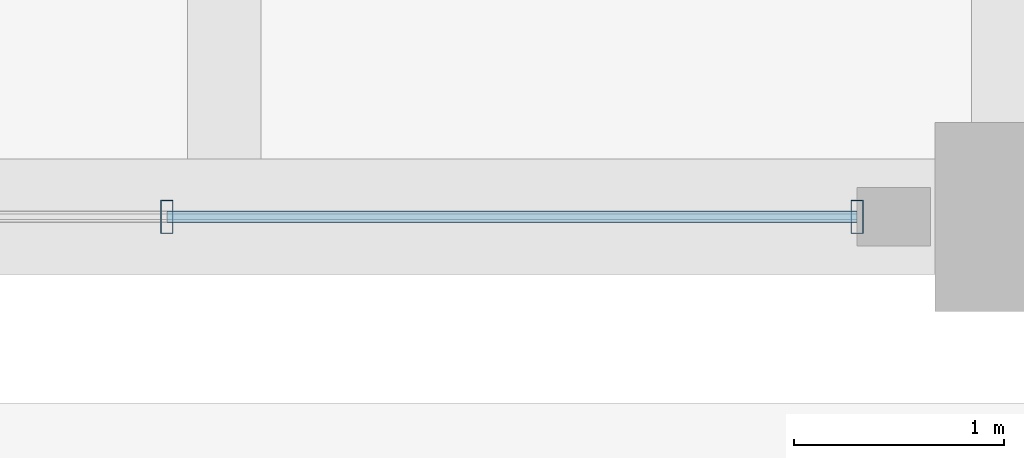
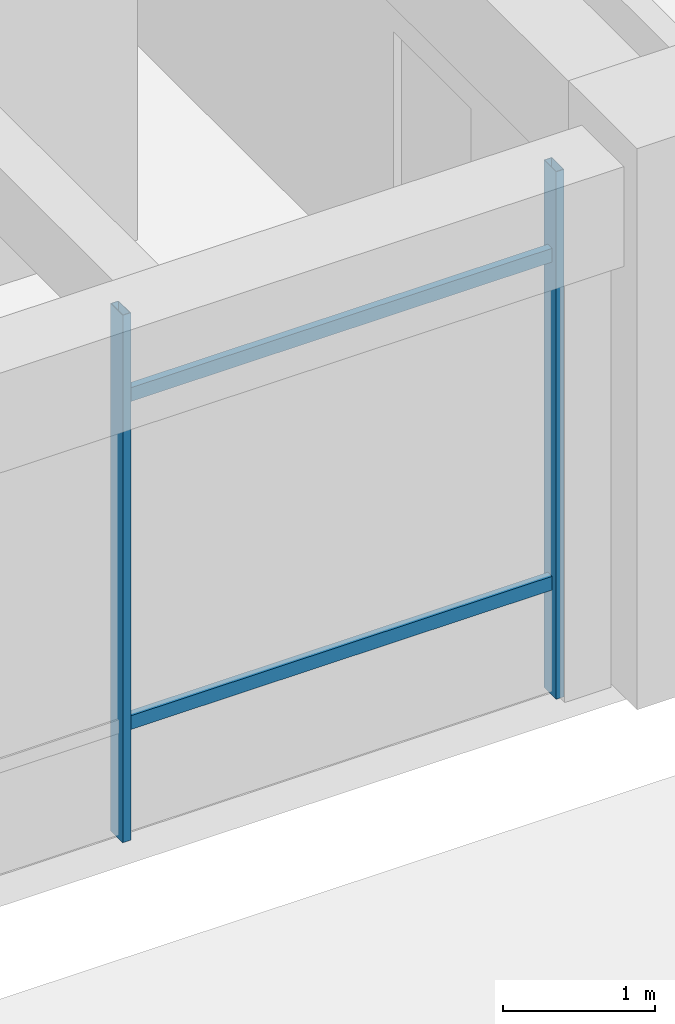
# One storey, part 115 of 154: 4 members, 1 element without a shape of its own.
"""IFC4 building model written with IfcOpenShell, lengths in metres."""

from ifc_helpers import new_model, si_unit, direction, frame, origin, origin_2d, place, context, subcontext, project, spatial, hollow_rectangle, extrude, material, material_profile, profile_set, type_object, element, aggregate, save


model = new_model("IFC4")

# Units and contexts
model_context = context("Model", 3, precision=1e-05, world=origin(), true_north=direction((0.0, 1.0)))
body_context = subcontext(model_context, "Body", "Model", "MODEL_VIEW")
ifc_project = project(units=[si_unit("LENGTHUNIT", "METRE"), si_unit("AREAUNIT", "SQUARE_METRE"), si_unit("VOLUMEUNIT", "CUBIC_METRE"), si_unit("PLANEANGLEUNIT", "RADIAN"), si_unit("MASSUNIT", "GRAM", prefix="KILO")], contexts=[model_context])

# Site, building, storey
site_placement = place(None, origin())
site = spatial("IfcSite", under=ifc_project, at=site_placement, CompositionType="ELEMENT")
building_placement = place(site_placement, origin())
building = spatial("IfcBuilding", under=site, at=building_placement, Name="Ologun Quay Terminus", CompositionType="ELEMENT")
storey_placement = place(building_placement, frame((0.0, 0.0, 13.800048828125)))
storey = spatial("IfcBuildingStorey", under=building, at=storey_placement, Name="L03", CompositionType="ELEMENT", Elevation=13.800048828125)

# Curtain wall, members
ifc_material_1 = material(Name="Aluminium 6063-T6", Category="aluminium")
curtain_wall_type = type_object("IfcCurtainWallType", Name="Waterfront Pavilion Harbour Curtain Wall L03 10600x4150", PredefinedType="USERDEFINED", material=ifc_material_1)
curtain_wall_placement = place(storey_placement, origin())
curtain_wall = element("IfcCurtainWall", 1, at=curtain_wall_placement, inside=storey, type_object=curtain_wall_type, Name="CW-25 Curtain Wall CW-L03-139", ObjectType="UNITISED CURTAIN WALL", PredefinedType="USERDEFINED")
ifc_material_2 = material(Name="Aluminium 6063-T6", Category="aluminium")
ifc_material_profile_1 = material_profile(ifc_material_2, hollow_rectangle(XDim=0.06005859375, YDim=0.159912109375, WallThickness=0.00390625, at=origin_2d()), Name="ALU 160x60x4")
ifc_profile_set_1 = profile_set([ifc_material_profile_1], Name="Aluminium 6063-T6")
member_type_1 = type_object("IfcMemberType", Name="Courtyard Screen Mullion 160x65", PredefinedType="MULLION", material=ifc_profile_set_1)
member_1_placement = place(storey_placement, frame((145.393310546875, 85.800048828125, 0.0), z_axis=(0.0, 0.0, 1.0), x_axis=(1.0, 0.0, 0.0)))
member_1 = element("IfcMember", 2, at=member_1_placement, type_object=member_type_1, Name="CW-L03-139 Mullion 3", PredefinedType="MULLION", context=body_context, shape_type="SweptSolid", body=[
    extrude(hollow_rectangle(XDim=0.06005859375, YDim=0.159912109375, WallThickness=0.00390625, at=origin_2d()), origin(), (0.0, 0.0, 1.0), 4.22998046875),
])
member_2_placement = place(storey_placement, frame((148.679931640625, 85.800048828125, 0.0), z_axis=(0.0, 0.0, 1.0), x_axis=(1.0, 0.0, 0.0)))
member_2 = element("IfcMember", 3, at=member_2_placement, type_object=member_type_1, Name="CW-L03-139 Mullion 4", PredefinedType="MULLION", context=body_context, shape_type="SweptSolid", body=[
    extrude(hollow_rectangle(XDim=0.06005859375, YDim=0.159912109375, WallThickness=0.00390625, at=origin_2d()), origin(), (0.0, 0.0, 1.0), 4.22998046875),
])
ifc_material_3 = material(Name="Aluminium 6063-T6", Category="aluminium")
ifc_material_profile_2 = material_profile(ifc_material_3, hollow_rectangle(XDim=0.054931640625, YDim=0.110107421875, WallThickness=0.00390625, at=origin_2d()), Name="ALU 110x55x4")
ifc_profile_set_2 = profile_set([ifc_material_profile_2], Name="Aluminium 6063-T6")
member_type_2 = type_object("IfcMemberType", Name="Courtyard Screen Transom 110x55", PredefinedType="USERDEFINED", material=ifc_profile_set_2)
member_3_placement = place(storey_placement, frame((145.393310546875, 85.800048828125, 0.89990234375), z_axis=(1.0, 0.0, 0.0), x_axis=(0.0, 1.0, 0.0)))
member_3 = element("IfcMember", 4, at=member_3_placement, type_object=member_type_2, Name="CW-L03-139 Transom B3-1", ObjectType="TRANSOM", PredefinedType="USERDEFINED", context=body_context, shape_type="SweptSolid", body=[
    extrude(hollow_rectangle(XDim=0.054931640625, YDim=0.110107421875, WallThickness=0.00390625, at=origin_2d()), origin(), (0.0, 0.0, 1.0), 3.28662109375),
])
member_4_placement = place(storey_placement, frame((145.393310546875, 85.800048828125, 3.530029296875), z_axis=(1.0, 0.0, 0.0), x_axis=(0.0, 1.0, 0.0)))
member_4 = element("IfcMember", 5, at=member_4_placement, type_object=member_type_2, Name="CW-L03-139 Transom B3-2", ObjectType="TRANSOM", PredefinedType="USERDEFINED", context=body_context, shape_type="SweptSolid", body=[
    extrude(hollow_rectangle(XDim=0.054931640625, YDim=0.110107421875, WallThickness=0.00390625, at=origin_2d()), origin(), (0.0, 0.0, 1.0), 3.28662109375),
])
aggregate(curtain_wall, [member_1, member_2, member_3, member_4])

save(model, "model.ifc")
